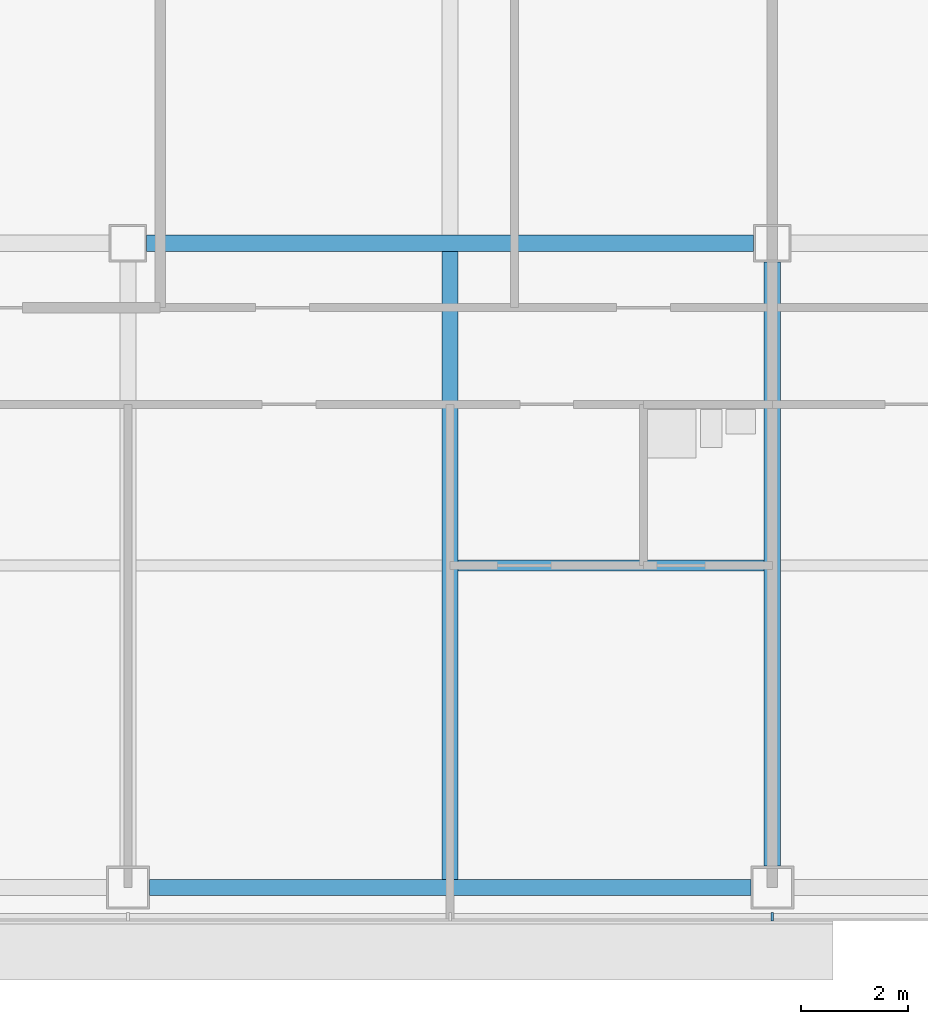
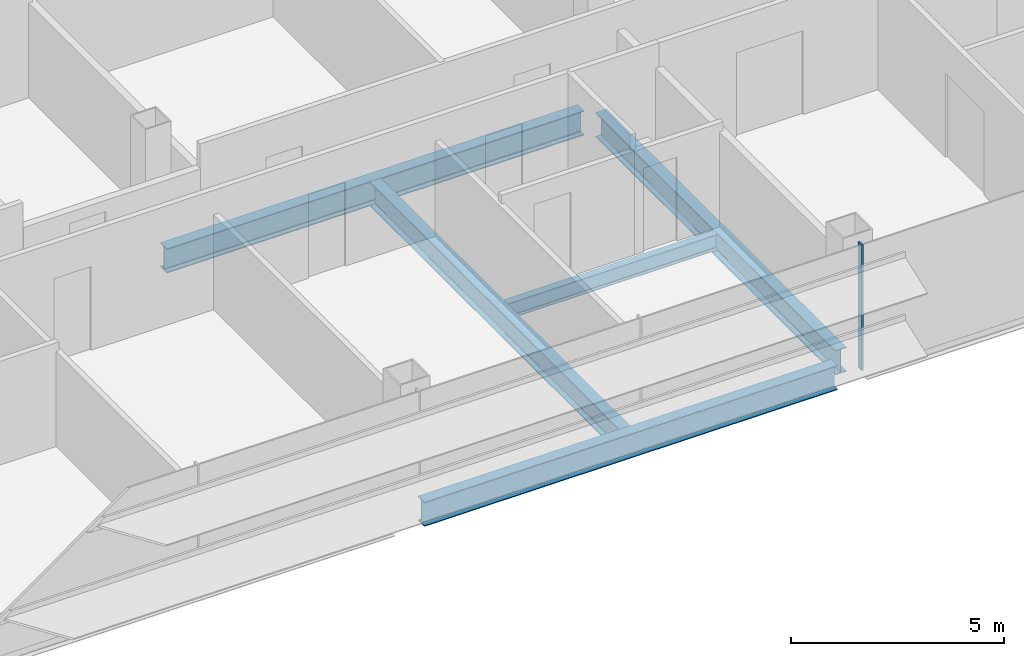
# One storey, part 3 of 25: 5 beams, 1 member, 1 element without a shape of its own.
"""IFC4 building model written with IfcOpenShell, lengths in metres."""

from ifc_helpers import new_model, si_unit, direction, frame, origin, origin_2d, place, context, subcontext, project, spatial, rectangle, i_section, extrude, material, material_profile, profile_set, type_object, element, aggregate, save


model = new_model("IFC4")

# Units and contexts
model_context = context("Model", 3, precision=1e-05, world=origin(), true_north=direction((0.0, 1.0)))
body_context = subcontext(model_context, "Body", "Model", "MODEL_VIEW")
ifc_project = project(units=[si_unit("LENGTHUNIT", "METRE"), si_unit("AREAUNIT", "SQUARE_METRE"), si_unit("VOLUMEUNIT", "CUBIC_METRE"), si_unit("PLANEANGLEUNIT", "RADIAN"), si_unit("MASSUNIT", "GRAM", prefix="KILO")], contexts=[model_context])

# Site, building, storey
site_placement = place(None, origin())
site = spatial("IfcSite", under=ifc_project, at=site_placement, CompositionType="ELEMENT")
building_placement = place(site_placement, origin())
building = spatial("IfcBuilding", under=site, at=building_placement, Name="Sorahane Residences", CompositionType="ELEMENT")
storey_placement = place(building_placement, frame((0.0, 0.0, 99.800048828125)))
storey = spatial("IfcBuildingStorey", under=building, at=storey_placement, Name="L21", CompositionType="ELEMENT", Elevation=99.800048828125)

# Curtain wall, member
ifc_material_1 = material(Name="Dark low-e glass and black anodised aluminium", Category="aluminium")
curtain_wall_type = type_object("IfcCurtainWallType", Name="Curtain wall CW-1 Typical unitised wall", PredefinedType="NOTDEFINED", material=ifc_material_1)
curtain_wall_placement = place(storey_placement, origin())
curtain_wall = element("IfcCurtainWall", 1, at=curtain_wall_placement, inside=storey, type_object=curtain_wall_type, Name="CW-1 curtain wall L21 S1", PredefinedType="NOTDEFINED")
ifc_material_2 = material(Name="Black anodised aluminium", Category="aluminium")
ifc_material_profile_1 = material_profile(ifc_material_2, rectangle(XDim=0.159912109375, YDim=0.050048828125, at=origin_2d()), Name="Curtain wall mullion CW-1 black anodised aluminium 50x160")
ifc_profile_set_1 = profile_set([ifc_material_profile_1], Name="Black anodised aluminium")
member_type = type_object("IfcMemberType", Name="Curtain wall mullion CW-1 black anodised aluminium 50x160", PredefinedType="MULLION", material=ifc_profile_set_1)
member_placement = place(storey_placement, frame((24.0, -0.5400390625, -0.179931640625), z_axis=(0.0, 0.0, 1.0), x_axis=(0.0, -1.0, 0.0)))
member = element("IfcMember", 2, at=member_placement, type_object=member_type, Name="CW-1 mullion L21 S1.5", PredefinedType="MULLION", context=body_context, shape_type="SweptSolid", body=[
    extrude(rectangle(XDim=0.159912109375, YDim=0.050048828125, at=origin_2d()), origin(), (0.0, 0.0, 1.0), 3.599853515625),
])
aggregate(curtain_wall, [member])

# Beams
ifc_material_3 = material(Name="Steel Q355B", Category="steel")
ifc_material_profile_2 = material_profile(ifc_material_3, i_section(OverallWidth=0.199951171875, OverallDepth=0.449951171875, WebThickness=0.009033203125, FlangeThickness=0.013916015625, FilletRadius=0.02001953125, at=origin_2d()), Name="HN 450x200x9x14")
ifc_profile_set_2 = profile_set([ifc_material_profile_2], Name="Steel Q355B")
beam_type_1 = type_object("IfcBeamType", Name="Steel floor beam HN 450x200x9x14 Q355B", PredefinedType="BEAM", material=ifc_profile_set_2)
beam_1_placement = place(storey_placement, frame((18.14990234375, 6.0, -0.405029296875), z_axis=(1.0, 0.0, 0.0), x_axis=(0.0, 1.0, 0.0)))
element("IfcBeam", 3, at=beam_1_placement, inside=storey, type_object=beam_type_1, Name="Beam L21 072", PredefinedType="BEAM", context=body_context, shape_type="SweptSolid", body=[
    extrude(i_section(OverallWidth=0.199951171875, OverallDepth=0.449951171875, WebThickness=0.009033203125, FlangeThickness=0.013916015625, FilletRadius=0.02001953125, at=origin_2d()), origin(), (0.0, 0.0, 1.0), 5.7001953125),
])
ifc_material_4 = material(Name="Steel Q355B", Category="steel")
ifc_material_profile_3 = material_profile(ifc_material_4, i_section(OverallWidth=0.300048828125, OverallDepth=0.699951171875, WebThickness=0.012939453125, FlangeThickness=0.02392578125, FilletRadius=0.028076171875, at=origin_2d()), Name="HN 700x300x13x24")
ifc_profile_set_3 = profile_set([ifc_material_profile_3], Name="Steel Q355B")
beam_type_2 = type_object("IfcBeamType", Name="Steel floor beam HN 700x300x13x24 Q355B", PredefinedType="BEAM", material=ifc_profile_set_3)
beam_2_placement = place(storey_placement, frame((12.39990234375, 0.0, -0.530029296875), z_axis=(1.0, 0.0, 0.0), x_axis=(0.0, 1.0, 0.0)))
element("IfcBeam", 4, at=beam_2_placement, inside=storey, type_object=beam_type_2, Name="Beam L21 001", PredefinedType="BEAM", context=body_context, shape_type="SweptSolid", body=[
    extrude(i_section(OverallWidth=0.300048828125, OverallDepth=0.699951171875, WebThickness=0.012939453125, FlangeThickness=0.02392578125, FilletRadius=0.028076171875, at=origin_2d()), origin(), (0.0, 0.0, 1.0), 11.2001953125),
])
beam_3_placement = place(storey_placement, frame((12.35009765625, 12.0, -0.530029296875), z_axis=(1.0, 0.0, 0.0), x_axis=(0.0, 1.0, 0.0)))
element("IfcBeam", 5, at=beam_3_placement, inside=storey, type_object=beam_type_2, Name="Beam L21 007", PredefinedType="BEAM", context=body_context, shape_type="SweptSolid", body=[
    extrude(i_section(OverallWidth=0.300048828125, OverallDepth=0.699951171875, WebThickness=0.012939453125, FlangeThickness=0.02392578125, FilletRadius=0.028076171875, at=origin_2d()), origin(), (0.0, 0.0, 1.0), 11.2998046875),
])
beam_4_placement = place(storey_placement, frame((18.0, 0.14990234375, -0.530029296875), z_axis=(0.0, 1.0, 0.0), x_axis=(-1.0, 0.0, 0.0)))
element("IfcBeam", 6, at=beam_4_placement, inside=storey, type_object=beam_type_2, Name="Beam L21 036", PredefinedType="BEAM", context=body_context, shape_type="SweptSolid", body=[
    extrude(i_section(OverallWidth=0.300048828125, OverallDepth=0.699951171875, WebThickness=0.012939453125, FlangeThickness=0.02392578125, FilletRadius=0.028076171875, at=origin_2d()), origin(), (0.0, 0.0, 1.0), 11.7001953125),
])
beam_5_placement = place(storey_placement, frame((24.0, 0.39990234375, -0.530029296875), z_axis=(0.0, 1.0, 0.0), x_axis=(-1.0, 0.0, 0.0)))
element("IfcBeam", 7, at=beam_5_placement, inside=storey, type_object=beam_type_2, Name="Beam L21 042", PredefinedType="BEAM", context=body_context, shape_type="SweptSolid", body=[
    extrude(i_section(OverallWidth=0.300048828125, OverallDepth=0.699951171875, WebThickness=0.012939453125, FlangeThickness=0.02392578125, FilletRadius=0.028076171875, at=origin_2d()), origin(), (0.0, 0.0, 1.0), 11.25),
])

save(model, "model.ifc")
